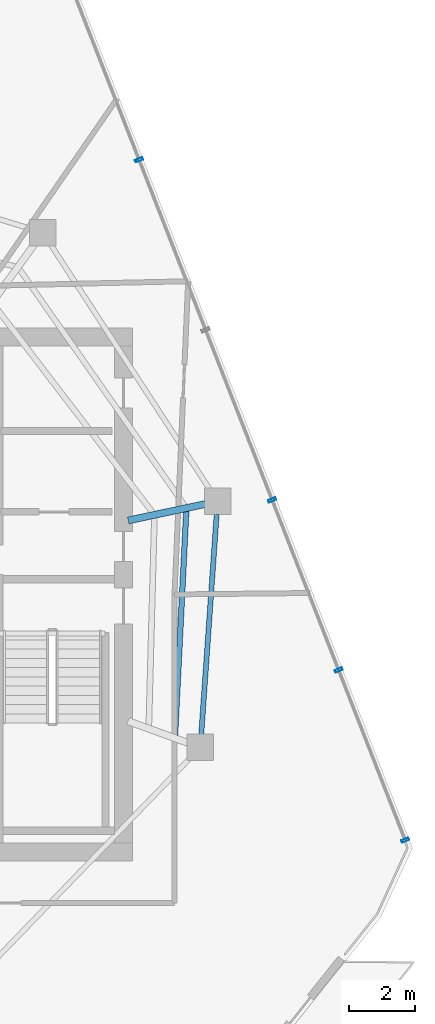
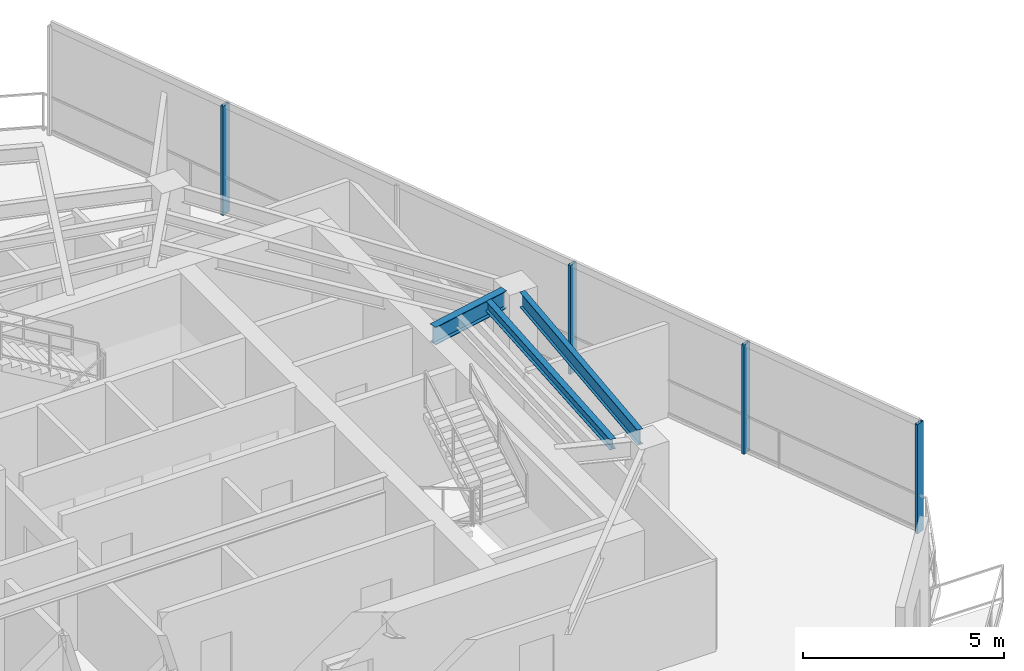
# One storey, part 10 of 19: 4 members, 3 beams, 1 element without a shape of its own.
"""IFC4 building model written with IfcOpenShell, lengths in metres."""

from ifc_helpers import new_model, si_unit, direction, frame, origin, origin_2d, place, context, subcontext, project, spatial, hollow_rectangle, i_section, extrude, material, layer, layer_set, material_profile, profile_set, type_object, element, aggregate, save


model = new_model("IFC4")

# Units and contexts
model_context = context("Model", 3, precision=1e-05, world=origin(), true_north=direction((0.0, 1.0)))
body_context = subcontext(model_context, "Body", "Model", "MODEL_VIEW")
ifc_project = project(units=[si_unit("LENGTHUNIT", "METRE"), si_unit("AREAUNIT", "SQUARE_METRE"), si_unit("VOLUMEUNIT", "CUBIC_METRE"), si_unit("PLANEANGLEUNIT", "RADIAN"), si_unit("MASSUNIT", "GRAM", prefix="KILO")], contexts=[model_context])

# Site, building, storey
site_placement = place(None, origin())
site = spatial("IfcSite", under=ifc_project, at=site_placement, CompositionType="ELEMENT")
building_placement = place(site_placement, origin())
building = spatial("IfcBuilding", under=site, at=building_placement, Name="Qarnah Convention Tower", CompositionType="ELEMENT")
storey_placement = place(building_placement, frame((0.0, 0.0, 260.699951171875)))
storey = spatial("IfcBuildingStorey", under=building, at=storey_placement, Name="L70", CompositionType="ELEMENT", Elevation=260.699951171875)

# Beams
ifc_material_1 = material(Name="Structural steel S355JR", Category="steel")
ifc_material_profile_1 = material_profile(ifc_material_1, i_section(OverallWidth=0.166015625, OverallDepth=0.31201171875, WebThickness=0.007080078125, FlangeThickness=0.010986328125, at=origin_2d()), Name="W310X45")
ifc_profile_set_1 = profile_set([ifc_material_profile_1], Name="Structural steel S355JR")
beam_type_1 = type_object("IfcBeamType", Name="BM-JST-W310", PredefinedType="JOIST", material=ifc_profile_set_1)
beam_1_placement = place(storey_placement, frame((49.16796875, 22.135986328125, 3.1640625), z_axis=(0.049873147584, 0.99875556026, 0.0), x_axis=(-0.99875556026, 0.049873147584, 0.0)))
element("IfcBeam", 1, at=beam_1_placement, inside=storey, type_object=beam_type_1, Name="L70 joist BM-L70-SJST-09", PredefinedType="JOIST", context=body_context, shape_type="SweptSolid", body=[
    extrude(i_section(OverallWidth=0.166015625, OverallDepth=0.31201171875, WebThickness=0.007080078125, FlangeThickness=0.010986328125, at=origin_2d()), origin(), (0.0, 0.0, 1.0), 6.799560546875),
])
ifc_material_profile_2 = material_profile(ifc_material_1, i_section(OverallWidth=0.2119140625, OverallDepth=0.5400390625, WebThickness=0.011962890625, FlangeThickness=0.01904296875, at=origin_2d()), Name="W530X109")
ifc_profile_set_2 = profile_set([ifc_material_profile_2], Name="Structural steel S355JR")
beam_type_2 = type_object("IfcBeamType", Name="BM-RAD-W530A", PredefinedType="BEAM", material=ifc_profile_set_2)
beam_2_placement = place(storey_placement, frame((47.7470703125, 28.64111328125, 3.050048828125), z_axis=(0.978103714349, 0.20811805298, 0.0), x_axis=(-0.20811805298, 0.978103714349, 0.0)))
element("IfcBeam", 2, at=beam_2_placement, inside=storey, type_object=beam_type_2, Name="L70 beam BM-L70-RAD-01", PredefinedType="BEAM", context=body_context, shape_type="SweptSolid", body=[
    extrude(i_section(OverallWidth=0.2119140625, OverallDepth=0.5400390625, WebThickness=0.011962890625, FlangeThickness=0.01904296875, at=origin_2d()), origin(), (0.0, 0.0, 1.0), 2.38720703125),
])
ifc_material_profile_3 = material_profile(ifc_material_1, i_section(OverallWidth=0.154052734375, OverallDepth=0.4599609375, WebThickness=0.009033203125, FlangeThickness=0.014892578125, at=origin_2d()), Name="W460X68")
ifc_profile_set_3 = profile_set([ifc_material_profile_3], Name="Structural steel S355JR")
beam_type_3 = type_object("IfcBeamType", Name="BM-SPN-W460B", PredefinedType="SPANDREL", material=ifc_profile_set_3)
beam_3_placement = place(storey_placement, frame((49.9599609375, 22.155029296875, 3.090087890625), z_axis=(0.069820410922, 0.997559577278, 0.0), x_axis=(-0.997559577278, 0.069820410922, 0.0)))
element("IfcBeam", 3, at=beam_3_placement, inside=storey, type_object=beam_type_3, Name="L70 spandrel BM-L70-SPN-09", PredefinedType="SPANDREL", context=body_context, shape_type="SweptSolid", body=[
    extrude(i_section(OverallWidth=0.154052734375, OverallDepth=0.4599609375, WebThickness=0.009033203125, FlangeThickness=0.014892578125, at=origin_2d()), origin(), (0.0, 0.0, 1.0), 6.689208984375),
])

# Curtain wall, members
ifc_material_2 = material(Name="Tempered Low-E dark glass", Category="glass")
ifc_layer = layer(ifc_material_2, 0.176025390625)
ifc_layer_set = layer_set([ifc_layer], Name="Tempered Low-E dark glass")
curtain_wall_type = type_object("IfcCurtainWallType", Name="CWS-05", PredefinedType="NOTDEFINED", material=ifc_layer_set)
curtain_wall_placement = place(storey_placement, origin())
curtain_wall = element("IfcCurtainWall", 4, at=curtain_wall_placement, inside=storey, type_object=curtain_wall_type, Name="L70 unitised curtain wall CW-L70-F2", PredefinedType="NOTDEFINED")
ifc_material_3 = material(Name="Black anodised aluminium", Category="aluminium")
ifc_material_profile_4 = material_profile(ifc_material_3, hollow_rectangle(XDim=0.080078125, YDim=0.239990234375, WallThickness=0.0048828125, at=origin_2d()), Name="MUL-80X240")
ifc_profile_set_4 = profile_set([ifc_material_profile_4], Name="Black anodised aluminium")
member_type = type_object("IfcMemberType", Name="MUL-T5", PredefinedType="MULLION", material=ifc_profile_set_4)
member_1_placement = place(storey_placement, frame((48.0791015625, 39.565673828125, 0.0), z_axis=(0.0, 0.0, 1.0), x_axis=(0.364218048519, -0.931313702859, 0.0)))
member_1 = element("IfcMember", 5, at=member_1_placement, type_object=member_type, Name="CW-L70-F2 mullion 2", PredefinedType="MULLION", context=body_context, shape_type="SweptSolid", body=[
    extrude(hollow_rectangle(XDim=0.080078125, YDim=0.239990234375, WallThickness=0.0048828125, at=origin_2d()), origin(), (0.0, 0.0, 1.0), 3.320068359375),
])
member_2_placement = place(storey_placement, frame((52.10888671875, 29.2607421875, 0.0), z_axis=(0.0, 0.0, 1.0), x_axis=(0.364218048519, -0.931313702859, 0.0)))
member_2 = element("IfcMember", 6, at=member_2_placement, type_object=member_type, Name="CW-L70-F2 mullion 4", PredefinedType="MULLION", context=body_context, shape_type="SweptSolid", body=[
    extrude(hollow_rectangle(XDim=0.080078125, YDim=0.239990234375, WallThickness=0.0048828125, at=origin_2d()), origin(), (0.0, 0.0, 1.0), 3.320068359375),
])
member_3_placement = place(storey_placement, frame((54.1240234375, 24.1083984375, 0.0), z_axis=(0.0, 0.0, 1.0), x_axis=(0.364218048519, -0.931313702859, 0.0)))
member_3 = element("IfcMember", 7, at=member_3_placement, type_object=member_type, Name="CW-L70-F2 mullion 5", PredefinedType="MULLION", context=body_context, shape_type="SweptSolid", body=[
    extrude(hollow_rectangle(XDim=0.080078125, YDim=0.239990234375, WallThickness=0.0048828125, at=origin_2d()), origin(), (0.0, 0.0, 1.0), 3.320068359375),
])
member_4_placement = place(storey_placement, frame((56.138916015625, 18.9560546875, 0.0), z_axis=(0.0, 0.0, 1.0), x_axis=(0.364218048519, -0.931313702859, 0.0)))
member_4 = element("IfcMember", 8, at=member_4_placement, type_object=member_type, Name="CW-L70-F2 mullion 6", PredefinedType="MULLION", context=body_context, shape_type="SweptSolid", body=[
    extrude(hollow_rectangle(XDim=0.080078125, YDim=0.239990234375, WallThickness=0.0048828125, at=origin_2d()), origin(), (0.0, 0.0, 1.0), 3.320068359375),
])
aggregate(curtain_wall, [member_1, member_2, member_3, member_4])

save(model, "model.ifc")
